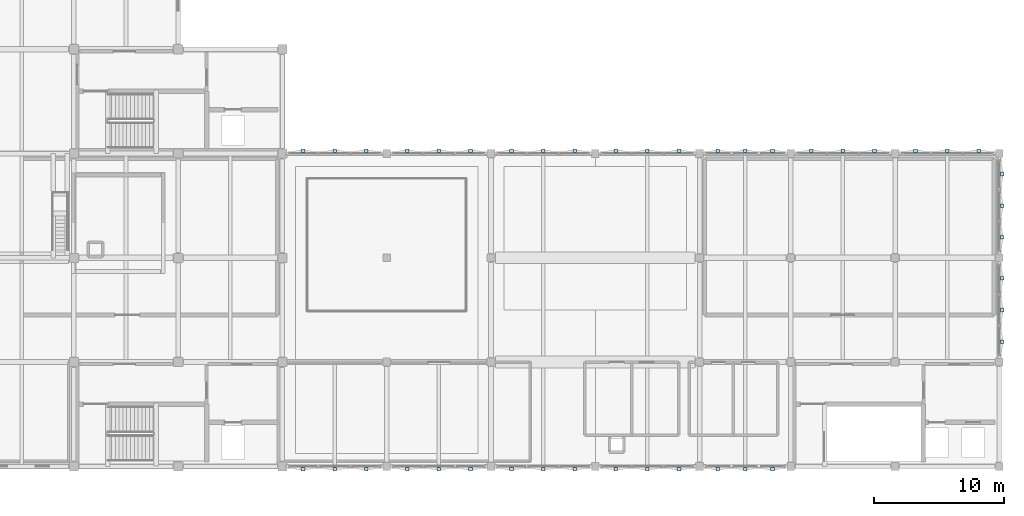
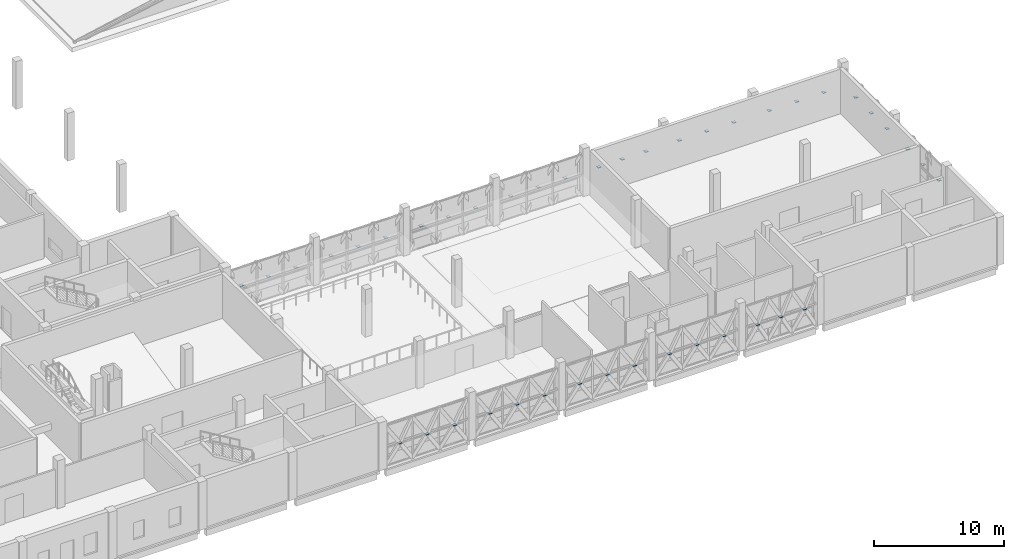
# One storey, part 33 of 43: 42 plates.
"""IFC4 building model written with IfcOpenShell, lengths in metres."""

from ifc_helpers import new_model, si_unit, direction, frame, origin, origin_2d, place, context, subcontext, project, spatial, rectangle, extrude, material, layer, layer_set, type_object, element, save


model = new_model("IFC4")

# Units and contexts
model_context = context("Model", 3, precision=1e-05, world=origin(), true_north=direction((0.0, 1.0)))
body_context = subcontext(model_context, "Body", "Model", "MODEL_VIEW")
ifc_project = project(units=[si_unit("LENGTHUNIT", "METRE"), si_unit("AREAUNIT", "SQUARE_METRE"), si_unit("VOLUMEUNIT", "CUBIC_METRE"), si_unit("PLANEANGLEUNIT", "RADIAN"), si_unit("MASSUNIT", "GRAM", prefix="KILO")], contexts=[model_context])

# Site, building, storey
site_placement = place(None, origin())
site = spatial("IfcSite", under=ifc_project, at=site_placement, CompositionType="ELEMENT")
building_placement = place(site_placement, origin())
building = spatial("IfcBuilding", under=site, at=building_placement, Name="Qorikala Patio Media Centre", CompositionType="ELEMENT")
storey_placement = place(building_placement, frame((0.0, 0.0, 18.89990234375)))
storey = spatial("IfcBuildingStorey", under=building, at=storey_placement, Name="L04", CompositionType="ELEMENT", Elevation=18.89990234375)

# Plates
ifc_material = material(Name="Golden Bronze Coated Steel S355", Category="steel")
ifc_layer = layer(ifc_material, 0.01611328125)
ifc_layer_set = layer_set([ifc_layer], Name="Golden Bronze Coated Steel S355")
plate_type = type_object("IfcPlateType", Name="PL-ND-06", PredefinedType="SHEET", material=ifc_layer_set)
for number, where, z_axis, x_axis, name in (
    (1, (68.5732421875, 27.21923828125, 1.9169921875), (0.0, 0.0, 1.0), (1.0, 0.0, 0.0), "L04 Diamond Apex Node Plate 109"),
    (2, (71.0, 27.21923828125, 1.9169921875), (0.0, 0.0, 1.0), (1.0, 0.0, 0.0), "L04 Diamond Apex Node Plate 110"),
    (3, (73.4267578125, 27.21923828125, 1.9169921875), (0.0, 0.0, 1.0), (1.0, 0.0, 0.0), "L04 Diamond Apex Node Plate 111"),
    (4, (76.40673828125, 27.21923828125, 1.9169921875), (0.0, 0.0, 1.0), (1.0, 0.0, 0.0), "L04 Diamond Apex Node Plate 112"),
    (5, (78.5, 27.21923828125, 1.9169921875), (0.0, 0.0, 1.0), (1.0, 0.0, 0.0), "L04 Diamond Apex Node Plate 113"),
    (6, (80.59326171875, 27.21923828125, 1.9169921875), (0.0, 0.0, 1.0), (1.0, 0.0, 0.0), "L04 Diamond Apex Node Plate 114"),
    (7, (83.5732421875, 27.21923828125, 1.9169921875), (0.0, 0.0, 1.0), (1.0, 0.0, 0.0), "L04 Diamond Apex Node Plate 115"),
    (8, (86.0, 27.21923828125, 1.9169921875), (0.0, 0.0, 1.0), (1.0, 0.0, 0.0), "L04 Diamond Apex Node Plate 116"),
    (9, (88.4267578125, 27.21923828125, 1.9169921875), (0.0, 0.0, 1.0), (1.0, 0.0, 0.0), "L04 Diamond Apex Node Plate 117"),
    (10, (91.5732421875, 27.21923828125, 1.9169921875), (0.0, 0.0, 1.0), (1.0, 0.0, 0.0), "L04 Diamond Apex Node Plate 118"),
    (11, (94.0, 27.21923828125, 1.9169921875), (0.0, 0.0, 1.0), (1.0, 0.0, 0.0), "L04 Diamond Apex Node Plate 119"),
    (12, (96.4267578125, 27.21923828125, 1.9169921875), (0.0, 0.0, 1.0), (1.0, 0.0, 0.0), "L04 Diamond Apex Node Plate 120"),
    (13, (98.21923828125, 25.4267578125, 1.9169921875), (0.0, 0.0, 1.0), (0.0, -1.0, 0.0), "L04 Diamond Apex Node Plate 121"),
    (14, (98.21923828125, 23.0, 1.9169921875), (0.0, 0.0, 1.0), (0.0, -1.0, 0.0), "L04 Diamond Apex Node Plate 122"),
    (15, (98.21923828125, 20.5732421875, 1.9169921875), (0.0, 0.0, 1.0), (0.0, -1.0, 0.0), "L04 Diamond Apex Node Plate 123"),
    (16, (98.21923828125, 17.4267578125, 1.9169921875), (0.0, 0.0, 1.0), (0.0, -1.0, 0.0), "L04 Diamond Apex Node Plate 124"),
    (17, (98.21923828125, 15.0, 1.9169921875), (0.0, 0.0, 1.0), (0.0, -1.0, 0.0), "L04 Diamond Apex Node Plate 125"),
    (18, (98.21923828125, 12.5732421875, 1.9169921875), (0.0, 0.0, 1.0), (0.0, -1.0, 0.0), "L04 Diamond Apex Node Plate 126"),
    (19, (80.59326171875, 2.78076171875, 1.9169921875), (0.0, 0.0, 1.0), (-1.0, 0.0, 0.0), "L04 Diamond Apex Node Plate 127"),
    (20, (78.5, 2.78076171875, 1.9169921875), (0.0, 0.0, 1.0), (-1.0, 0.0, 0.0), "L04 Diamond Apex Node Plate 128"),
    (21, (76.40673828125, 2.78076171875, 1.9169921875), (0.0, 0.0, 1.0), (-1.0, 0.0, 0.0), "L04 Diamond Apex Node Plate 129"),
    (22, (73.4267578125, 2.78076171875, 1.9169921875), (0.0, 0.0, 1.0), (-1.0, 0.0, 0.0), "L04 Diamond Apex Node Plate 130"),
    (23, (71.0, 2.78076171875, 1.9169921875), (0.0, 0.0, 1.0), (-1.0, 0.0, 0.0), "L04 Diamond Apex Node Plate 131"),
    (24, (68.5732421875, 2.78076171875, 1.9169921875), (0.0, 0.0, 1.0), (-1.0, 0.0, 0.0), "L04 Diamond Apex Node Plate 132"),
    (25, (65.4267578125, 2.78076171875, 1.9169921875), (0.0, 0.0, 1.0), (-1.0, 0.0, 0.0), "L04 Diamond Apex Node Plate 133"),
    (26, (63.0, 2.78076171875, 1.9169921875), (0.0, 0.0, 1.0), (-1.0, 0.0, 0.0), "L04 Diamond Apex Node Plate 134"),
    (27, (60.5732421875, 2.78076171875, 1.9169921875), (0.0, 0.0, 1.0), (-1.0, 0.0, 0.0), "L04 Diamond Apex Node Plate 135"),
    (28, (57.4267578125, 2.78076171875, 1.9169921875), (0.0, 0.0, 1.0), (-1.0, 0.0, 0.0), "L04 Diamond Apex Node Plate 136"),
    (29, (55.0, 2.78076171875, 1.9169921875), (0.0, 0.0, 1.0), (-1.0, 0.0, 0.0), "L04 Diamond Apex Node Plate 137"),
    (30, (52.5732421875, 2.78076171875, 1.9169921875), (0.0, 0.0, 1.0), (-1.0, 0.0, 0.0), "L04 Diamond Apex Node Plate 138"),
    (31, (49.4267578125, 2.78076171875, 1.9169921875), (0.0, 0.0, 1.0), (-1.0, 0.0, 0.0), "L04 Diamond Apex Node Plate 139"),
    (32, (47.0, 2.78076171875, 1.9169921875), (0.0, 0.0, 1.0), (-1.0, 0.0, 0.0), "L04 Diamond Apex Node Plate 140"),
    (33, (44.5732421875, 2.78076171875, 1.9169921875), (0.0, 0.0, 1.0), (-1.0, 0.0, 0.0), "L04 Diamond Apex Node Plate 141"),
    (34, (44.5732421875, 27.21923828125, 1.9169921875), (0.0, 0.0, 1.0), (1.0, 0.0, 0.0), "L04 Diamond Apex Node Plate 142"),
    (35, (47.0, 27.21923828125, 1.9169921875), (0.0, 0.0, 1.0), (1.0, 0.0, 0.0), "L04 Diamond Apex Node Plate 143"),
    (36, (49.4267578125, 27.21923828125, 1.9169921875), (0.0, 0.0, 1.0), (1.0, 0.0, 0.0), "L04 Diamond Apex Node Plate 144"),
    (37, (52.5732421875, 27.21923828125, 1.9169921875), (0.0, 0.0, 1.0), (1.0, 0.0, 0.0), "L04 Diamond Apex Node Plate 145"),
    (38, (55.0, 27.21923828125, 1.9169921875), (0.0, 0.0, 1.0), (1.0, 0.0, 0.0), "L04 Diamond Apex Node Plate 146"),
    (39, (57.4267578125, 27.21923828125, 1.9169921875), (0.0, 0.0, 1.0), (1.0, 0.0, 0.0), "L04 Diamond Apex Node Plate 147"),
    (40, (60.5732421875, 27.21923828125, 1.9169921875), (0.0, 0.0, 1.0), (1.0, 0.0, 0.0), "L04 Diamond Apex Node Plate 148"),
    (41, (63.0, 27.21923828125, 1.9169921875), (0.0, 0.0, 1.0), (1.0, 0.0, 0.0), "L04 Diamond Apex Node Plate 149"),
    (42, (65.4267578125, 27.21923828125, 1.9169921875), (0.0, 0.0, 1.0), (1.0, 0.0, 0.0), "L04 Diamond Apex Node Plate 150"),
):
    element("IfcPlate", number, at=place(storey_placement, frame(where, z_axis=z_axis, x_axis=x_axis)), inside=storey, type_object=plate_type, Name=name, PredefinedType="SHEET", context=body_context, shape_type="SweptSolid", body=[
        extrude(rectangle(XDim=0.280029296875, YDim=0.280029296875, at=origin_2d()), origin(), (0.0, 0.0, 1.0), 0.01611328125),
    ])

save(model, "model.ifc")
